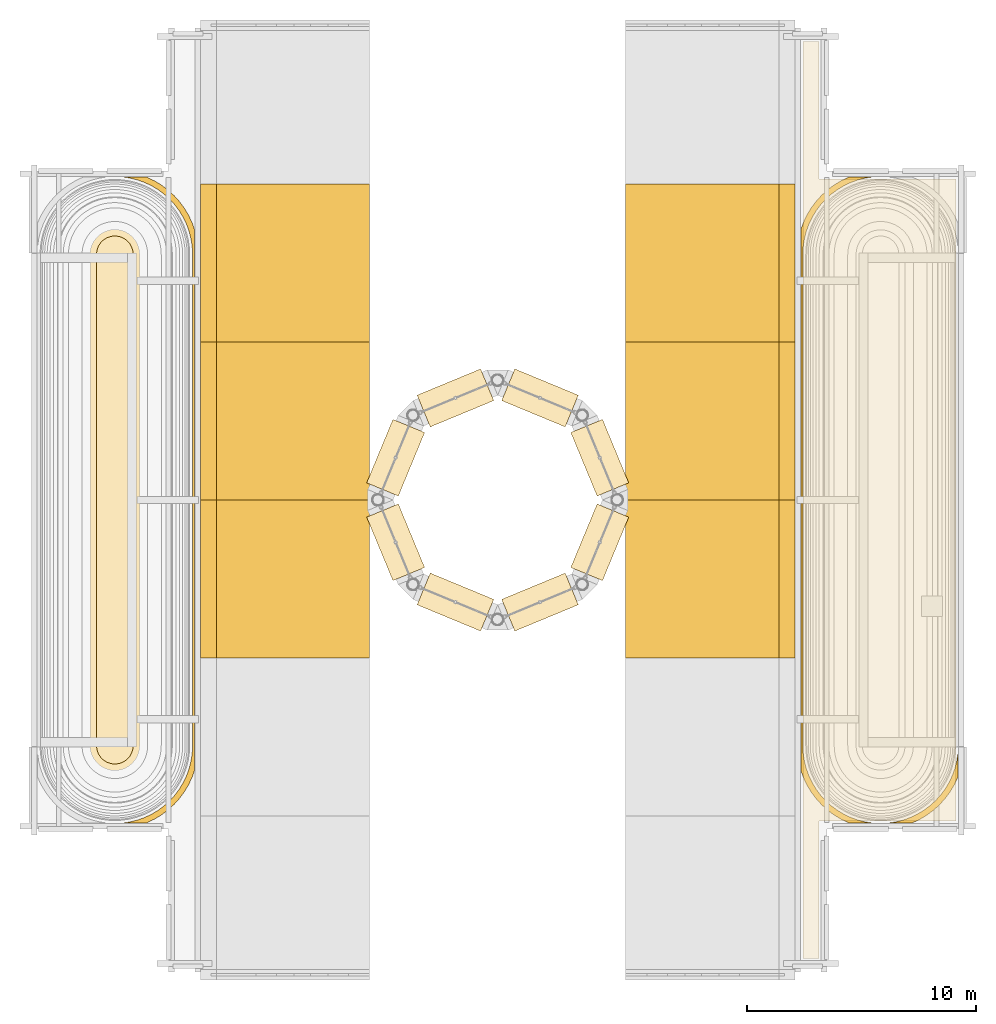
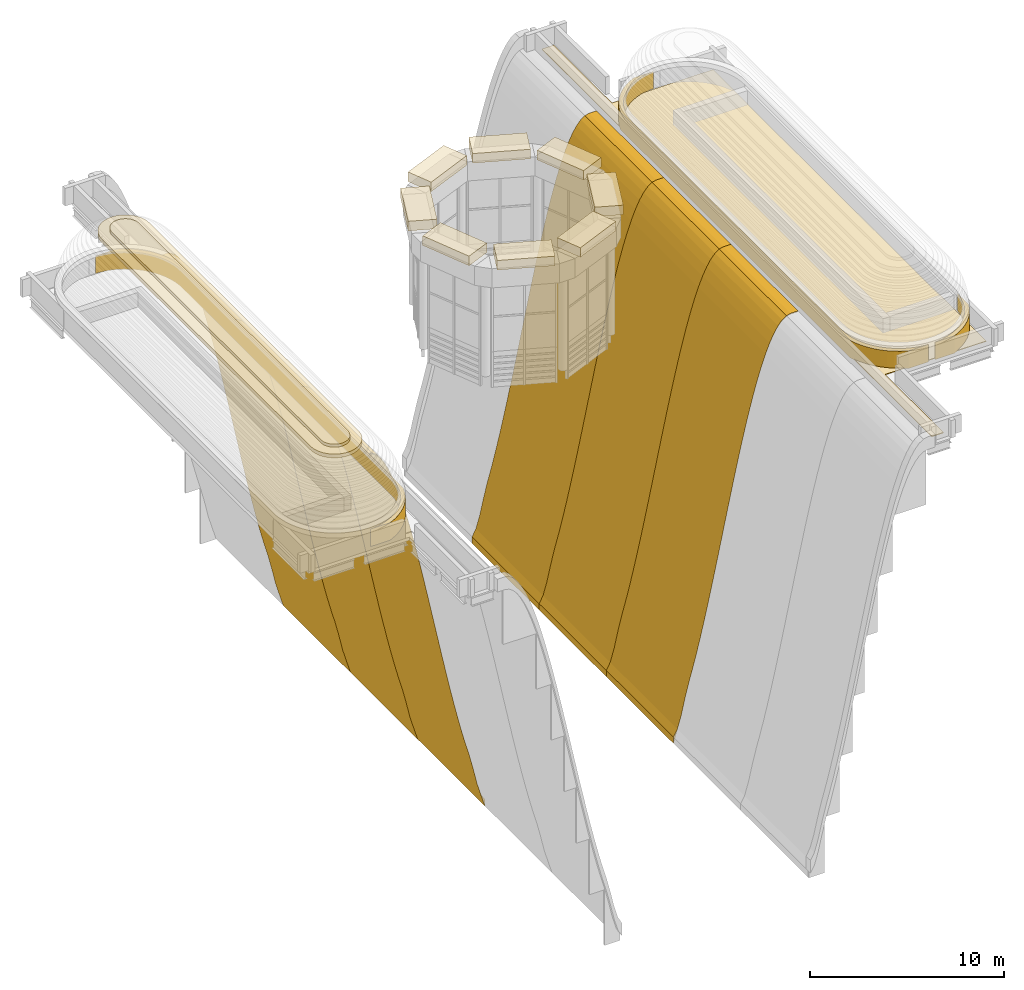
# One storey, part 11 of 14: 20 coverings.
"""IFC4 building model written with IfcOpenShell, lengths in metres."""

from ifc_helpers import new_model, si_unit, direction, frame, origin, origin_2d, place, context, subcontext, project, spatial, polyline, rectangle, outline, extrude, material, layer, layer_set, type_object, element, save


model = new_model("IFC4")

# Units and contexts
model_context = context("Model", 3, precision=1e-05, world=origin(), true_north=direction((0.0, 1.0)))
body_context = subcontext(model_context, "Body", "Model", "MODEL_VIEW")
ifc_project = project(units=[si_unit("LENGTHUNIT", "METRE"), si_unit("AREAUNIT", "SQUARE_METRE"), si_unit("VOLUMEUNIT", "CUBIC_METRE"), si_unit("PLANEANGLEUNIT", "RADIAN"), si_unit("MASSUNIT", "GRAM", prefix="KILO")], contexts=[model_context])

# Site, building, storey
site_placement = place(None, origin())
site = spatial("IfcSite", under=ifc_project, at=site_placement, CompositionType="ELEMENT")
building_placement = place(site_placement, origin())
building = spatial("IfcBuilding", under=site, at=building_placement, Name="Cobrizo Arcos Hotel Tower", CompositionType="ELEMENT")
storey_placement = place(building_placement, frame((0.0, 0.0, 290.0)))
storey = spatial("IfcBuildingStorey", under=building, at=storey_placement, Name="RF", CompositionType="ELEMENT", Elevation=290.0)

# Coverings
ifc_material_1 = material(Name="Glass clear laminated low-e", Category="glass")
ifc_layer_1 = layer(ifc_material_1, 0.06005859375)
ifc_layer_set_1 = layer_set([ifc_layer_1], Name="CB-1 crown bowl glass skin 60")
covering_type_1 = type_object("IfcCoveringType", Name="CB-1 crown bowl glass skin 60", PredefinedType="CLADDING", material=ifc_layer_set_1)
covering_1_placement = place(storey_placement, frame((0.0, -6.908203125, -24.5), z_axis=(0.0, 1.0, 0.0), x_axis=(-1.0, 0.0, 0.0)))
element("IfcCovering", 1, at=covering_1_placement, inside=storey, type_object=covering_type_1, Name="Crown bowl skin W3", PredefinedType="CLADDING", context=body_context, shape_type="SweptSolid", body=[
    extrude(outline(polyline([(5.8310546875, 0.764892578125), (6.06201171875, 1.552490234375), (6.29296875, 2.578125), (6.52392578125, 3.5), (6.74853515625, 4.288818359375), (6.97314453125, 5.139892578125), (7.197509765625, 6.045654296875), (7.422119140625, 7.0), (7.676513671875, 8.12939453125), (7.9306640625, 9.300048828125), (8.18505859375, 10.5), (8.42822265625, 11.664794921875), (8.671630859375, 12.835205078125), (8.9150390625, 14.0), (9.169189453125, 15.199951171875), (9.423583984375, 16.37060546875), (9.677978515625, 17.5), (9.90234375, 18.454345703125), (10.126953125, 19.360595703125), (10.3515625, 20.211181640625), (10.575927734375, 21.0), (10.82275390625, 21.78857421875), (11.069580078125, 22.4873046875), (11.31640625, 23.09033203125), (11.56298828125, 23.59130859375), (11.809814453125, 23.986083984375), (12.056396484375, 24.270751953125), (12.30322265625, 24.442626953125), (12.550048828125, 24.5), (12.77490234375, 24.5), (13.0, 24.5), (13.0, 24.56005859375), (12.77490234375, 24.56005859375), (12.550048828125, 24.56005859375), (12.30322265625, 24.502685546875), (12.056396484375, 24.330810546875), (11.809814453125, 24.046142578125), (11.56298828125, 23.6513671875), (11.31640625, 23.150390625), (11.069580078125, 22.54736328125), (10.82275390625, 21.8486328125), (10.575927734375, 21.06005859375), (10.3515625, 20.271240234375), (10.126953125, 19.420654296875), (9.90234375, 18.514404296875), (9.677978515625, 17.56005859375), (9.423583984375, 16.4306640625), (9.169189453125, 15.260009765625), (8.9150390625, 14.06005859375), (8.671630859375, 12.895263671875), (8.42822265625, 11.724853515625), (8.18505859375, 10.56005859375), (7.9306640625, 9.360107421875), (7.676513671875, 8.189453125), (7.422119140625, 7.06005859375), (7.197509765625, 6.105712890625), (6.97314453125, 5.19970703125), (6.74853515625, 4.348876953125), (6.52392578125, 3.56005859375), (6.29296875, 2.63818359375), (6.06201171875, 1.612548828125), (5.8310546875, 0.824951171875), (5.60009765625, 0.3984375), (5.60009765625, 0.0), (5.8310546875, 0.764892578125)])), origin(), (0.0, 0.0, 1.0), 6.908203125),
])
covering_2_placement = place(storey_placement, frame((0.0, 0.0, -24.5), z_axis=(0.0, 1.0, 0.0), x_axis=(-1.0, 0.0, 0.0)))
element("IfcCovering", 2, at=covering_2_placement, inside=storey, type_object=covering_type_1, Name="Crown bowl skin W4", PredefinedType="CLADDING", context=body_context, shape_type="SweptSolid", body=[
    extrude(outline(polyline([(5.8310546875, 0.764892578125), (6.06201171875, 1.552490234375), (6.29296875, 2.578125), (6.52392578125, 3.5), (6.74853515625, 4.288818359375), (6.97314453125, 5.139892578125), (7.197509765625, 6.045654296875), (7.422119140625, 7.0), (7.676513671875, 8.12939453125), (7.9306640625, 9.300048828125), (8.18505859375, 10.5), (8.42822265625, 11.664794921875), (8.671630859375, 12.835205078125), (8.9150390625, 14.0), (9.169189453125, 15.199951171875), (9.423583984375, 16.37060546875), (9.677978515625, 17.5), (9.90234375, 18.454345703125), (10.126953125, 19.360595703125), (10.3515625, 20.211181640625), (10.575927734375, 21.0), (10.82275390625, 21.78857421875), (11.069580078125, 22.4873046875), (11.31640625, 23.09033203125), (11.56298828125, 23.59130859375), (11.809814453125, 23.986083984375), (12.056396484375, 24.270751953125), (12.30322265625, 24.442626953125), (12.550048828125, 24.5), (12.77490234375, 24.5), (13.0, 24.5), (13.0, 24.56005859375), (12.77490234375, 24.56005859375), (12.550048828125, 24.56005859375), (12.30322265625, 24.502685546875), (12.056396484375, 24.330810546875), (11.809814453125, 24.046142578125), (11.56298828125, 23.6513671875), (11.31640625, 23.150390625), (11.069580078125, 22.54736328125), (10.82275390625, 21.8486328125), (10.575927734375, 21.06005859375), (10.3515625, 20.271240234375), (10.126953125, 19.420654296875), (9.90234375, 18.514404296875), (9.677978515625, 17.56005859375), (9.423583984375, 16.4306640625), (9.169189453125, 15.260009765625), (8.9150390625, 14.06005859375), (8.671630859375, 12.895263671875), (8.42822265625, 11.724853515625), (8.18505859375, 10.56005859375), (7.9306640625, 9.360107421875), (7.676513671875, 8.189453125), (7.422119140625, 7.06005859375), (7.197509765625, 6.105712890625), (6.97314453125, 5.19970703125), (6.74853515625, 4.348876953125), (6.52392578125, 3.56005859375), (6.29296875, 2.63818359375), (6.06201171875, 1.612548828125), (5.8310546875, 0.824951171875), (5.60009765625, 0.3984375), (5.60009765625, 0.0), (5.8310546875, 0.764892578125)])), origin(), (0.0, 0.0, 1.0), 6.908203125),
])
covering_3_placement = place(storey_placement, frame((0.0, 6.908203125, -24.5), z_axis=(0.0, 1.0, 0.0), x_axis=(-1.0, 0.0, 0.0)))
element("IfcCovering", 3, at=covering_3_placement, inside=storey, type_object=covering_type_1, Name="Crown bowl skin W5", PredefinedType="CLADDING", context=body_context, shape_type="SweptSolid", body=[
    extrude(outline(polyline([(5.8310546875, 0.764892578125), (6.06201171875, 1.552490234375), (6.29296875, 2.578125), (6.52392578125, 3.5), (6.74853515625, 4.288818359375), (6.97314453125, 5.139892578125), (7.197509765625, 6.045654296875), (7.422119140625, 7.0), (7.676513671875, 8.12939453125), (7.9306640625, 9.300048828125), (8.18505859375, 10.5), (8.42822265625, 11.664794921875), (8.671630859375, 12.835205078125), (8.9150390625, 14.0), (9.169189453125, 15.199951171875), (9.423583984375, 16.37060546875), (9.677978515625, 17.5), (9.90234375, 18.454345703125), (10.126953125, 19.360595703125), (10.3515625, 20.211181640625), (10.575927734375, 21.0), (10.82275390625, 21.78857421875), (11.069580078125, 22.4873046875), (11.31640625, 23.09033203125), (11.56298828125, 23.59130859375), (11.809814453125, 23.986083984375), (12.056396484375, 24.270751953125), (12.30322265625, 24.442626953125), (12.550048828125, 24.5), (12.77490234375, 24.5), (13.0, 24.5), (13.0, 24.56005859375), (12.77490234375, 24.56005859375), (12.550048828125, 24.56005859375), (12.30322265625, 24.502685546875), (12.056396484375, 24.330810546875), (11.809814453125, 24.046142578125), (11.56298828125, 23.6513671875), (11.31640625, 23.150390625), (11.069580078125, 22.54736328125), (10.82275390625, 21.8486328125), (10.575927734375, 21.06005859375), (10.3515625, 20.271240234375), (10.126953125, 19.420654296875), (9.90234375, 18.514404296875), (9.677978515625, 17.56005859375), (9.423583984375, 16.4306640625), (9.169189453125, 15.260009765625), (8.9150390625, 14.06005859375), (8.671630859375, 12.895263671875), (8.42822265625, 11.724853515625), (8.18505859375, 10.56005859375), (7.9306640625, 9.360107421875), (7.676513671875, 8.189453125), (7.422119140625, 7.06005859375), (7.197509765625, 6.105712890625), (6.97314453125, 5.19970703125), (6.74853515625, 4.348876953125), (6.52392578125, 3.56005859375), (6.29296875, 2.63818359375), (6.06201171875, 1.612548828125), (5.8310546875, 0.824951171875), (5.60009765625, 0.3984375), (5.60009765625, 0.0), (5.8310546875, 0.764892578125)])), origin(), (0.0, 0.0, 1.0), 6.908447265625),
])
covering_4_placement = place(storey_placement, frame((0.0, -6.908203125, -24.5), z_axis=(0.0, 1.0, 0.0), x_axis=(-1.0, 0.0, 0.0)))
element("IfcCovering", 4, at=covering_4_placement, inside=storey, type_object=covering_type_1, Name="Crown bowl skin E3", PredefinedType="CLADDING", context=body_context, shape_type="SweptSolid", body=[
    extrude(outline(polyline([(-5.60009765625, 0.0), (-5.60009765625, 0.3984375), (-5.8310546875, 0.824951171875), (-6.06201171875, 1.612548828125), (-6.29296875, 2.63818359375), (-6.52392578125, 3.56005859375), (-6.74853515625, 4.348876953125), (-6.97314453125, 5.19970703125), (-7.197509765625, 6.105712890625), (-7.422119140625, 7.06005859375), (-7.676513671875, 8.189453125), (-7.9306640625, 9.360107421875), (-8.18505859375, 10.56005859375), (-8.42822265625, 11.724853515625), (-8.671630859375, 12.895263671875), (-8.9150390625, 14.06005859375), (-9.169189453125, 15.260009765625), (-9.423583984375, 16.4306640625), (-9.677978515625, 17.56005859375), (-9.90234375, 18.514404296875), (-10.126953125, 19.420654296875), (-10.3515625, 20.271240234375), (-10.575927734375, 21.06005859375), (-10.82275390625, 21.8486328125), (-11.069580078125, 22.54736328125), (-11.31640625, 23.150390625), (-11.56298828125, 23.6513671875), (-11.809814453125, 24.046142578125), (-12.056396484375, 24.330810546875), (-12.30322265625, 24.502685546875), (-12.550048828125, 24.56005859375), (-12.77490234375, 24.56005859375), (-13.0, 24.56005859375), (-13.0, 24.5), (-12.77490234375, 24.5), (-12.550048828125, 24.5), (-12.30322265625, 24.442626953125), (-12.056396484375, 24.270751953125), (-11.809814453125, 23.986083984375), (-11.56298828125, 23.59130859375), (-11.31640625, 23.09033203125), (-11.069580078125, 22.4873046875), (-10.82275390625, 21.78857421875), (-10.575927734375, 21.0), (-10.3515625, 20.211181640625), (-10.126953125, 19.360595703125), (-9.90234375, 18.454345703125), (-9.677978515625, 17.5), (-9.423583984375, 16.37060546875), (-9.169189453125, 15.199951171875), (-8.9150390625, 14.0), (-8.671630859375, 12.835205078125), (-8.42822265625, 11.664794921875), (-8.18505859375, 10.5), (-7.9306640625, 9.300048828125), (-7.676513671875, 8.12939453125), (-7.422119140625, 7.0), (-7.197509765625, 6.045654296875), (-6.97314453125, 5.139892578125), (-6.74853515625, 4.288818359375), (-6.52392578125, 3.5), (-6.29296875, 2.578125), (-6.06201171875, 1.552490234375), (-5.8310546875, 0.764892578125), (-5.60009765625, 0.0)])), origin(), (0.0, 0.0, 1.0), 6.908203125),
])
covering_5_placement = place(storey_placement, frame((0.0, 0.0, -24.5), z_axis=(0.0, 1.0, 0.0), x_axis=(-1.0, 0.0, 0.0)))
element("IfcCovering", 5, at=covering_5_placement, inside=storey, type_object=covering_type_1, Name="Crown bowl skin E4", PredefinedType="CLADDING", context=body_context, shape_type="SweptSolid", body=[
    extrude(outline(polyline([(-5.60009765625, 0.0), (-5.60009765625, 0.3984375), (-5.8310546875, 0.824951171875), (-6.06201171875, 1.612548828125), (-6.29296875, 2.63818359375), (-6.52392578125, 3.56005859375), (-6.74853515625, 4.348876953125), (-6.97314453125, 5.19970703125), (-7.197509765625, 6.105712890625), (-7.422119140625, 7.06005859375), (-7.676513671875, 8.189453125), (-7.9306640625, 9.360107421875), (-8.18505859375, 10.56005859375), (-8.42822265625, 11.724853515625), (-8.671630859375, 12.895263671875), (-8.9150390625, 14.06005859375), (-9.169189453125, 15.260009765625), (-9.423583984375, 16.4306640625), (-9.677978515625, 17.56005859375), (-9.90234375, 18.514404296875), (-10.126953125, 19.420654296875), (-10.3515625, 20.271240234375), (-10.575927734375, 21.06005859375), (-10.82275390625, 21.8486328125), (-11.069580078125, 22.54736328125), (-11.31640625, 23.150390625), (-11.56298828125, 23.6513671875), (-11.809814453125, 24.046142578125), (-12.056396484375, 24.330810546875), (-12.30322265625, 24.502685546875), (-12.550048828125, 24.56005859375), (-12.77490234375, 24.56005859375), (-13.0, 24.56005859375), (-13.0, 24.5), (-12.77490234375, 24.5), (-12.550048828125, 24.5), (-12.30322265625, 24.442626953125), (-12.056396484375, 24.270751953125), (-11.809814453125, 23.986083984375), (-11.56298828125, 23.59130859375), (-11.31640625, 23.09033203125), (-11.069580078125, 22.4873046875), (-10.82275390625, 21.78857421875), (-10.575927734375, 21.0), (-10.3515625, 20.211181640625), (-10.126953125, 19.360595703125), (-9.90234375, 18.454345703125), (-9.677978515625, 17.5), (-9.423583984375, 16.37060546875), (-9.169189453125, 15.199951171875), (-8.9150390625, 14.0), (-8.671630859375, 12.835205078125), (-8.42822265625, 11.664794921875), (-8.18505859375, 10.5), (-7.9306640625, 9.300048828125), (-7.676513671875, 8.12939453125), (-7.422119140625, 7.0), (-7.197509765625, 6.045654296875), (-6.97314453125, 5.139892578125), (-6.74853515625, 4.288818359375), (-6.52392578125, 3.5), (-6.29296875, 2.578125), (-6.06201171875, 1.552490234375), (-5.8310546875, 0.764892578125), (-5.60009765625, 0.0)])), origin(), (0.0, 0.0, 1.0), 6.908203125),
])
covering_6_placement = place(storey_placement, frame((0.0, 6.908203125, -24.5), z_axis=(0.0, 1.0, 0.0), x_axis=(-1.0, 0.0, 0.0)))
element("IfcCovering", 6, at=covering_6_placement, inside=storey, type_object=covering_type_1, Name="Crown bowl skin E5", PredefinedType="CLADDING", context=body_context, shape_type="SweptSolid", body=[
    extrude(outline(polyline([(-5.60009765625, 0.0), (-5.60009765625, 0.3984375), (-5.8310546875, 0.824951171875), (-6.06201171875, 1.612548828125), (-6.29296875, 2.63818359375), (-6.52392578125, 3.56005859375), (-6.74853515625, 4.348876953125), (-6.97314453125, 5.19970703125), (-7.197509765625, 6.105712890625), (-7.422119140625, 7.06005859375), (-7.676513671875, 8.189453125), (-7.9306640625, 9.360107421875), (-8.18505859375, 10.56005859375), (-8.42822265625, 11.724853515625), (-8.671630859375, 12.895263671875), (-8.9150390625, 14.06005859375), (-9.169189453125, 15.260009765625), (-9.423583984375, 16.4306640625), (-9.677978515625, 17.56005859375), (-9.90234375, 18.514404296875), (-10.126953125, 19.420654296875), (-10.3515625, 20.271240234375), (-10.575927734375, 21.06005859375), (-10.82275390625, 21.8486328125), (-11.069580078125, 22.54736328125), (-11.31640625, 23.150390625), (-11.56298828125, 23.6513671875), (-11.809814453125, 24.046142578125), (-12.056396484375, 24.330810546875), (-12.30322265625, 24.502685546875), (-12.550048828125, 24.56005859375), (-12.77490234375, 24.56005859375), (-13.0, 24.56005859375), (-13.0, 24.5), (-12.77490234375, 24.5), (-12.550048828125, 24.5), (-12.30322265625, 24.442626953125), (-12.056396484375, 24.270751953125), (-11.809814453125, 23.986083984375), (-11.56298828125, 23.59130859375), (-11.31640625, 23.09033203125), (-11.069580078125, 22.4873046875), (-10.82275390625, 21.78857421875), (-10.575927734375, 21.0), (-10.3515625, 20.211181640625), (-10.126953125, 19.360595703125), (-9.90234375, 18.454345703125), (-9.677978515625, 17.5), (-9.423583984375, 16.37060546875), (-9.169189453125, 15.199951171875), (-8.9150390625, 14.0), (-8.671630859375, 12.835205078125), (-8.42822265625, 11.664794921875), (-8.18505859375, 10.5), (-7.9306640625, 9.300048828125), (-7.676513671875, 8.12939453125), (-7.422119140625, 7.0), (-7.197509765625, 6.045654296875), (-6.97314453125, 5.139892578125), (-6.74853515625, 4.288818359375), (-6.52392578125, 3.5), (-6.29296875, 2.578125), (-6.06201171875, 1.552490234375), (-5.8310546875, 0.764892578125), (-5.60009765625, 0.0)])), origin(), (0.0, 0.0, 1.0), 6.908447265625),
])
ifc_material_2 = material(Name="Aluminium 6063-T6 anodised pale", Category="aluminium")
ifc_layer_2 = layer(ifc_material_2, 0.35009765625)
ifc_layer_set_2 = layer_set([ifc_layer_2], Name="CB-7 shoulder roll course 350")
covering_type_2 = type_object("IfcCoveringType", Name="CB-7 shoulder roll course 350", PredefinedType="CLADDING", material=ifc_layer_set_2)
covering_7_placement = place(storey_placement, frame((0.0, 0.0, 4.574951171875)))
element("IfcCovering", 7, at=covering_7_placement, inside=storey, type_object=covering_type_2, Name="Shoulder roll W course 15", PredefinedType="CLADDING", context=body_context, shape_type="SweptSolid", body=[
    extrude(outline(polyline([(-18.171630859375, 10.6953125), (-18.162109375, 10.88916015625), (-18.1416015625, 11.02685546875), (-18.10791015625, 11.161865234375), (-18.060791015625, 11.29296875), (-18.00146484375, 11.4189453125), (-17.9296875, 11.538330078125), (-17.846923828125, 11.650146484375), (-17.75341796875, 11.75341796875), (-17.650146484375, 11.846923828125), (-17.538330078125, 11.9296875), (-17.4189453125, 12.00146484375), (-17.29296875, 12.060791015625), (-17.161865234375, 12.10791015625), (-17.02685546875, 12.1416015625), (-16.88916015625, 12.162109375), (-16.75, 12.1689453125), (-16.61083984375, 12.162109375), (-16.47314453125, 12.1416015625), (-16.338134765625, 12.10791015625), (-16.20703125, 12.060791015625), (-16.0810546875, 12.00146484375), (-15.961669921875, 11.9296875), (-15.849853515625, 11.846923828125), (-15.74658203125, 11.75341796875), (-15.653076171875, 11.650146484375), (-15.5703125, 11.538330078125), (-15.49853515625, 11.4189453125), (-15.439208984375, 11.29296875), (-15.39208984375, 11.161865234375), (-15.3583984375, 11.02685546875), (-15.337890625, 10.88916015625), (-15.328369140625, 10.6953125), (-15.328369140625, -10.6953125), (-15.337890625, -10.88916015625), (-15.3583984375, -11.02685546875), (-15.39208984375, -11.161865234375), (-15.439208984375, -11.29296875), (-15.49853515625, -11.4189453125), (-15.5703125, -11.538330078125), (-15.653076171875, -11.650146484375), (-15.74658203125, -11.75341796875), (-15.849853515625, -11.846923828125), (-15.961669921875, -11.9296875), (-16.0810546875, -12.00146484375), (-16.20703125, -12.060791015625), (-16.338134765625, -12.10791015625), (-16.47314453125, -12.1416015625), (-16.61083984375, -12.162109375), (-16.75, -12.1689453125), (-16.88916015625, -12.162109375), (-17.02685546875, -12.1416015625), (-17.161865234375, -12.10791015625), (-17.29296875, -12.060791015625), (-17.4189453125, -12.00146484375), (-17.538330078125, -11.9296875), (-17.650146484375, -11.846923828125), (-17.75341796875, -11.75341796875), (-17.846923828125, -11.650146484375), (-17.9296875, -11.538330078125), (-18.00146484375, -11.4189453125), (-18.060791015625, -11.29296875), (-18.10791015625, -11.161865234375), (-18.1416015625, -11.02685546875), (-18.162109375, -10.88916015625), (-18.171630859375, -10.6953125), (-18.171630859375, 10.6953125)]), holes=[polyline([(-17.202392578125, 10.67138671875), (-17.196533203125, 10.7939453125), (-17.190185546875, 10.83740234375), (-17.179443359375, 10.880126953125), (-17.16455078125, 10.921630859375), (-17.145751953125, 10.96142578125), (-17.123046875, 10.999267578125), (-17.0966796875, 11.03466796875), (-17.0673828125, 11.0673828125), (-17.03466796875, 11.0966796875), (-16.999267578125, 11.123046875), (-16.96142578125, 11.145751953125), (-16.921630859375, 11.16455078125), (-16.880126953125, 11.179443359375), (-16.83740234375, 11.190185546875), (-16.7939453125, 11.196533203125), (-16.75, 11.19873046875), (-16.7060546875, 11.196533203125), (-16.66259765625, 11.190185546875), (-16.619873046875, 11.179443359375), (-16.578369140625, 11.16455078125), (-16.53857421875, 11.145751953125), (-16.500732421875, 11.123046875), (-16.46533203125, 11.0966796875), (-16.4326171875, 11.0673828125), (-16.4033203125, 11.03466796875), (-16.376953125, 10.999267578125), (-16.354248046875, 10.96142578125), (-16.33544921875, 10.921630859375), (-16.320556640625, 10.880126953125), (-16.309814453125, 10.83740234375), (-16.303466796875, 10.7939453125), (-16.297607421875, 10.67138671875), (-16.297607421875, -10.67138671875), (-16.303466796875, -10.7939453125), (-16.309814453125, -10.83740234375), (-16.320556640625, -10.880126953125), (-16.33544921875, -10.921630859375), (-16.354248046875, -10.96142578125), (-16.376953125, -10.999267578125), (-16.4033203125, -11.03466796875), (-16.4326171875, -11.0673828125), (-16.46533203125, -11.0966796875), (-16.500732421875, -11.123046875), (-16.53857421875, -11.145751953125), (-16.578369140625, -11.16455078125), (-16.619873046875, -11.179443359375), (-16.66259765625, -11.190185546875), (-16.7060546875, -11.196533203125), (-16.75, -11.19873046875), (-16.7939453125, -11.196533203125), (-16.83740234375, -11.190185546875), (-16.880126953125, -11.179443359375), (-16.921630859375, -11.16455078125), (-16.96142578125, -11.145751953125), (-16.999267578125, -11.123046875), (-17.03466796875, -11.0966796875), (-17.0673828125, -11.0673828125), (-17.0966796875, -11.03466796875), (-17.123046875, -10.999267578125), (-17.145751953125, -10.96142578125), (-17.16455078125, -10.921630859375), (-17.179443359375, -10.880126953125), (-17.190185546875, -10.83740234375), (-17.196533203125, -10.7939453125), (-17.202392578125, -10.67138671875), (-17.202392578125, 10.67138671875)])]), origin(), (0.0, 0.0, 1.0), 0.234130859375),
])
covering_8_placement = place(storey_placement, frame((0.0, 0.0, 4.80908203125)))
element("IfcCovering", 8, at=covering_8_placement, inside=storey, type_object=covering_type_2, Name="Shoulder roll W course 16", PredefinedType="CLADDING", context=body_context, shape_type="SweptSolid", body=[
    extrude(outline(polyline([(-17.552490234375, 10.68017578125), (-17.54541015625, 10.828369140625), (-17.53369140625, 10.906005859375), (-17.5146484375, 10.98193359375), (-17.48828125, 11.055908203125), (-17.45458984375, 11.126708984375), (-17.414306640625, 11.194091796875), (-17.36767578125, 11.2568359375), (-17.315185546875, 11.315185546875), (-17.2568359375, 11.36767578125), (-17.194091796875, 11.414306640625), (-17.126708984375, 11.45458984375), (-17.055908203125, 11.48828125), (-16.98193359375, 11.5146484375), (-16.906005859375, 11.53369140625), (-16.828369140625, 11.54541015625), (-16.75, 11.549072265625), (-16.671630859375, 11.54541015625), (-16.593994140625, 11.53369140625), (-16.51806640625, 11.5146484375), (-16.444091796875, 11.48828125), (-16.373291015625, 11.45458984375), (-16.305908203125, 11.414306640625), (-16.2431640625, 11.36767578125), (-16.184814453125, 11.315185546875), (-16.13232421875, 11.2568359375), (-16.085693359375, 11.194091796875), (-16.04541015625, 11.126708984375), (-16.01171875, 11.055908203125), (-15.9853515625, 10.98193359375), (-15.96630859375, 10.906005859375), (-15.95458984375, 10.828369140625), (-15.947509765625, 10.68017578125), (-15.947509765625, -10.68017578125), (-15.95458984375, -10.828369140625), (-15.96630859375, -10.906005859375), (-15.9853515625, -10.98193359375), (-16.01171875, -11.055908203125), (-16.04541015625, -11.126708984375), (-16.085693359375, -11.194091796875), (-16.13232421875, -11.2568359375), (-16.184814453125, -11.315185546875), (-16.2431640625, -11.36767578125), (-16.305908203125, -11.414306640625), (-16.373291015625, -11.45458984375), (-16.444091796875, -11.48828125), (-16.51806640625, -11.5146484375), (-16.593994140625, -11.53369140625), (-16.671630859375, -11.54541015625), (-16.75, -11.549072265625), (-16.828369140625, -11.54541015625), (-16.906005859375, -11.53369140625), (-16.98193359375, -11.5146484375), (-17.055908203125, -11.48828125), (-17.126708984375, -11.45458984375), (-17.194091796875, -11.414306640625), (-17.2568359375, -11.36767578125), (-17.315185546875, -11.315185546875), (-17.36767578125, -11.2568359375), (-17.414306640625, -11.194091796875), (-17.45458984375, -11.126708984375), (-17.48828125, -11.055908203125), (-17.5146484375, -10.98193359375), (-17.53369140625, -10.906005859375), (-17.54541015625, -10.828369140625), (-17.552490234375, -10.68017578125), (-17.552490234375, 10.68017578125)])), origin(), (0.0, 0.0, 1.0), 0.19091796875),
])
ifc_layer_3 = layer(ifc_material_2, 0.25)
ifc_layer_set_3 = layer_set([ifc_layer_3], Name="CB-8 shoulder roll skirt 250")
covering_type_3 = type_object("IfcCoveringType", Name="CB-8 shoulder roll skirt 250", PredefinedType="CLADDING", material=ifc_layer_set_3)
covering_9_placement = place(storey_placement, origin())
element("IfcCovering", 9, at=covering_9_placement, inside=storey, type_object=covering_type_3, Name="Shoulder roll skirt E1", PredefinedType="CLADDING", context=body_context, shape_type="SweptSolid", body=[
    extrude(outline(polyline([(13.377685546875, 12.146728515625), (13.531005859375, 12.470703125), (13.715087890625, 12.77783203125), (13.928466796875, 13.0654296875), (14.169189453125, 13.330810546875), (14.4345703125, 13.571533203125), (14.72216796875, 13.784912109375), (15.029296875, 13.968994140625), (15.353271484375, 14.122314453125), (15.403076171875, 14.139892578125), (16.552490234375, 14.139892578125), (16.416748046875, 14.13330078125), (16.0869140625, 14.08447265625), (15.76318359375, 14.00341796875), (15.448974609375, 13.890869140625), (15.1474609375, 13.748291015625), (14.861083984375, 13.57666015625), (14.59326171875, 13.3779296875), (14.34619140625, 13.15380859375), (14.1220703125, 12.90673828125), (13.92333984375, 12.638916015625), (13.751708984375, 12.3525390625), (13.609130859375, 12.051025390625), (13.49658203125, 11.73681640625), (13.41552734375, 11.4130859375), (13.36669921875, 11.083251953125), (13.35009765625, 10.743896484375), (13.35009765625, -10.743896484375), (13.36669921875, -11.083251953125), (13.41552734375, -11.4130859375), (13.49658203125, -11.73681640625), (13.609130859375, -12.051025390625), (13.751708984375, -12.3525390625), (13.92333984375, -12.638916015625), (14.1220703125, -12.90673828125), (14.34619140625, -13.15380859375), (14.59326171875, -13.3779296875), (14.861083984375, -13.57666015625), (15.1474609375, -13.748291015625), (15.448974609375, -13.890869140625), (15.76318359375, -14.00341796875), (16.0869140625, -14.08447265625), (16.416748046875, -14.13330078125), (16.552490234375, -14.139892578125), (15.403076171875, -14.139892578125), (15.353271484375, -14.122314453125), (15.029296875, -13.968994140625), (14.72216796875, -13.784912109375), (14.4345703125, -13.571533203125), (14.169189453125, -13.330810546875), (13.928466796875, -13.0654296875), (13.715087890625, -12.77783203125), (13.531005859375, -12.470703125), (13.377685546875, -12.146728515625), (13.260009765625, -11.8173828125), (13.260009765625, 11.8173828125), (13.377685546875, 12.146728515625)])), origin(), (0.0, 0.0, 1.0), 1.10009765625),
])
covering_10_placement = place(storey_placement, origin())
element("IfcCovering", 10, at=covering_10_placement, inside=storey, type_object=covering_type_3, Name="Shoulder roll skirt E4", PredefinedType="CLADDING", context=body_context, shape_type="SweptSolid", body=[
    extrude(outline(polyline([(20.122314453125, -12.146728515625), (19.968994140625, -12.470703125), (19.784912109375, -12.77783203125), (19.571533203125, -13.0654296875), (19.330810546875, -13.330810546875), (19.0654296875, -13.571533203125), (18.77783203125, -13.784912109375), (18.470703125, -13.968994140625), (18.146728515625, -14.122314453125), (18.096923828125, -14.139892578125), (16.947509765625, -14.139892578125), (17.083251953125, -14.13330078125), (17.4130859375, -14.08447265625), (17.73681640625, -14.00341796875), (18.051025390625, -13.890869140625), (18.3525390625, -13.748291015625), (18.638916015625, -13.57666015625), (18.90673828125, -13.3779296875), (19.15380859375, -13.15380859375), (19.3779296875, -12.90673828125), (19.57666015625, -12.638916015625), (19.748291015625, -12.3525390625), (19.890869140625, -12.051025390625), (20.00341796875, -11.73681640625), (20.08447265625, -11.4130859375), (20.13330078125, -11.083251953125), (20.139892578125, -10.947509765625), (20.139892578125, -12.096923828125), (20.122314453125, -12.146728515625)])), origin(), (0.0, 0.0, 1.0), 1.10009765625),
])
covering_11_placement = place(storey_placement, origin())
element("IfcCovering", 11, at=covering_11_placement, inside=storey, type_object=covering_type_3, Name="Shoulder roll skirt W2", PredefinedType="CLADDING", context=body_context, shape_type="SweptSolid", body=[
    extrude(outline(polyline([(-15.353271484375, 14.122314453125), (-15.029296875, 13.968994140625), (-14.72216796875, 13.784912109375), (-14.4345703125, 13.571533203125), (-14.169189453125, 13.330810546875), (-13.928466796875, 13.0654296875), (-13.715087890625, 12.77783203125), (-13.531005859375, 12.470703125), (-13.377685546875, 12.146728515625), (-13.260009765625, 11.8173828125), (-13.260009765625, -11.8173828125), (-13.377685546875, -12.146728515625), (-13.531005859375, -12.470703125), (-13.715087890625, -12.77783203125), (-13.928466796875, -13.0654296875), (-14.169189453125, -13.330810546875), (-14.4345703125, -13.571533203125), (-14.72216796875, -13.784912109375), (-15.029296875, -13.968994140625), (-15.353271484375, -14.122314453125), (-15.403076171875, -14.139892578125), (-16.552490234375, -14.139892578125), (-16.416748046875, -14.13330078125), (-16.0869140625, -14.08447265625), (-15.76318359375, -14.00341796875), (-15.448974609375, -13.890869140625), (-15.1474609375, -13.748291015625), (-14.861083984375, -13.57666015625), (-14.59326171875, -13.3779296875), (-14.34619140625, -13.15380859375), (-14.1220703125, -12.90673828125), (-13.92333984375, -12.638916015625), (-13.751708984375, -12.3525390625), (-13.609130859375, -12.051025390625), (-13.49658203125, -11.73681640625), (-13.41552734375, -11.4130859375), (-13.36669921875, -11.083251953125), (-13.35009765625, -10.743896484375), (-13.35009765625, 10.743896484375), (-13.36669921875, 11.083251953125), (-13.41552734375, 11.4130859375), (-13.49658203125, 11.73681640625), (-13.609130859375, 12.051025390625), (-13.751708984375, 12.3525390625), (-13.92333984375, 12.638916015625), (-14.1220703125, 12.90673828125), (-14.34619140625, 13.15380859375), (-14.59326171875, 13.3779296875), (-14.861083984375, 13.57666015625), (-15.1474609375, 13.748291015625), (-15.448974609375, 13.890869140625), (-15.76318359375, 14.00341796875), (-16.0869140625, 14.08447265625), (-16.416748046875, 14.13330078125), (-16.552490234375, 14.139892578125), (-15.403076171875, 14.139892578125), (-15.353271484375, 14.122314453125)])), origin(), (0.0, 0.0, 1.0), 1.10009765625),
])
covering_type_4 = type_object("IfcCoveringType", Name="DC-1 drum cap 1500x600", PredefinedType="CLADDING", material=ifc_material_2)
for number, where, z_axis, x_axis, name in (
    (12, (4.46630859375, 1.85009765625, 7.0), (0.0, 0.0, 1.0), (-0.382683432365, 0.923879532511, 0.0), "Drum cap 1"),
    (13, (1.85009765625, 4.46630859375, 7.0), (0.0, 0.0, 1.0), (-0.923879532511, 0.382683432365, 0.0), "Drum cap 2"),
    (14, (-1.85009765625, 4.46630859375, 7.0), (0.0, 0.0, 1.0), (-0.923879532511, -0.382683432365, 0.0), "Drum cap 3"),
    (15, (-4.46630859375, 1.85009765625, 7.0), (0.0, 0.0, 1.0), (-0.382683432365, -0.923879532511, 0.0), "Drum cap 4"),
    (16, (-4.46630859375, -1.85009765625, 7.0), (0.0, 0.0, 1.0), (0.382683432365, -0.923879532511, 0.0), "Drum cap 5"),
    (17, (-1.85009765625, -4.46630859375, 7.0), (0.0, 0.0, 1.0), (0.923879532511, -0.382683432365, 0.0), "Drum cap 6"),
    (18, (1.85009765625, -4.46630859375, 7.0), (0.0, 0.0, 1.0), (0.923879532511, 0.382683432365, 0.0), "Drum cap 7"),
    (19, (4.46630859375, -1.85009765625, 7.0), (0.0, 0.0, 1.0), (0.382683432365, 0.923879532511, 0.0), "Drum cap 8"),
):
    element("IfcCovering", number, at=place(storey_placement, frame(where, z_axis=z_axis, x_axis=x_axis)), inside=storey, type_object=covering_type_4, Name=name, PredefinedType="CLADDING", context=body_context, shape_type="SweptSolid", body=[
        extrude(rectangle(XDim=3.0048828125, YDim=1.5, at=origin_2d()), origin(), (0.0, 0.0, 1.0), 0.60009765625),
    ])
ifc_material_3 = material(Name="Roof membrane TPO single ply")
ifc_layer_4 = layer(ifc_material_3, 0.0400390625)
ifc_layer_set_4 = layer_set([ifc_layer_4], Name="RC-1 roof covering")
covering_type_5 = type_object("IfcCoveringType", Name="RC-1 roof covering", PredefinedType="ROOFING", material=ifc_layer_set_4)
covering_12_placement = place(storey_placement, origin())
element("IfcCovering", 20, at=covering_12_placement, inside=storey, type_object=covering_type_5, Name="Roof covering L76 1", PredefinedType="ROOFING", context=body_context, shape_type="SweptSolid", body=[
    extrude(outline(polyline([(14.050048828125, 20.050048828125), (14.050048828125, 14.050048828125), (20.050048828125, 14.050048828125), (20.050048828125, -14.050048828125), (14.050048828125, -14.050048828125), (14.050048828125, -20.050048828125), (13.35009765625, -20.050048828125), (13.35009765625, 20.050048828125), (14.050048828125, 20.050048828125)])), origin(), (0.0, 0.0, 1.0), 0.0400390625),
])

save(model, "model.ifc")
